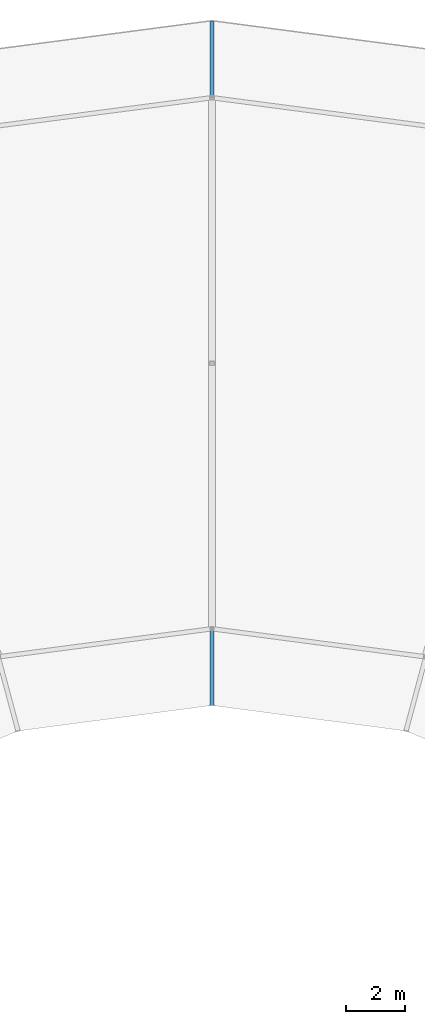
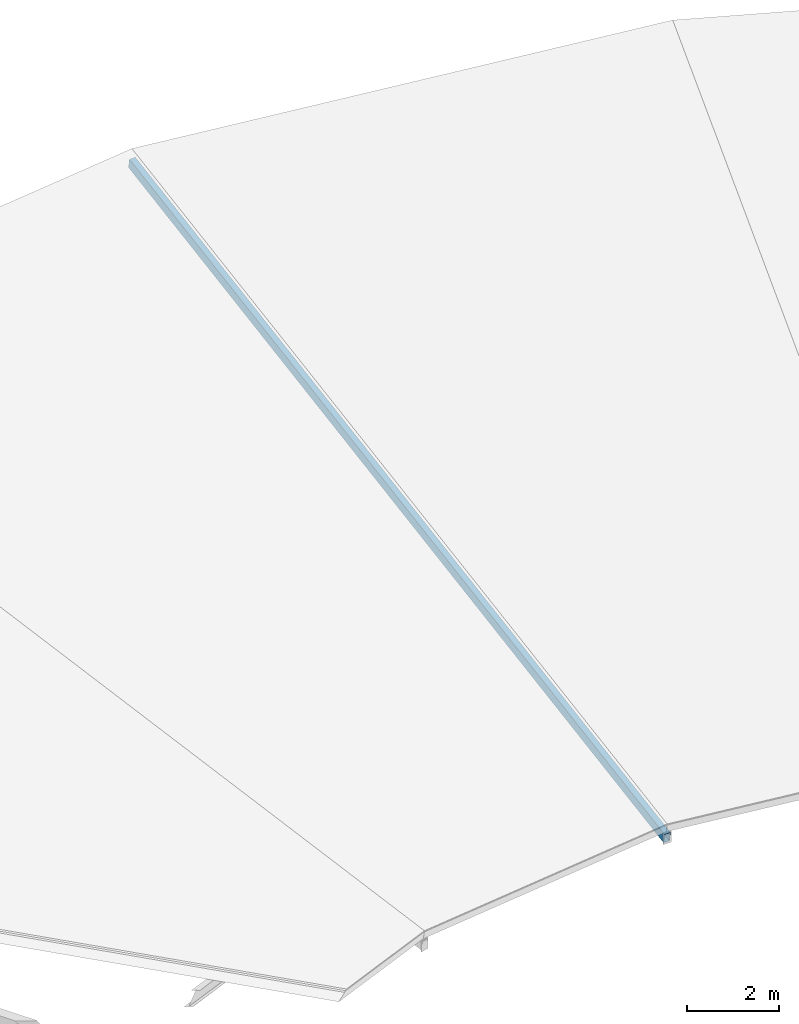
# One storey, part 21 of 70: 1 member.
"""IFC4 building model written with IfcOpenShell, lengths in metres."""

from ifc_helpers import new_model, si_unit, direction, frame, origin, origin_2d, place, context, subcontext, project, spatial, hollow_rectangle, extrude, material, material_profile, profile_set, type_object, element, save


model = new_model("IFC4")

# Units and contexts
model_context = context("Model", 3, precision=1e-05, world=origin(), true_north=direction((0.0, 1.0)))
body_context = subcontext(model_context, "Body", "Model", "MODEL_VIEW")
ifc_project = project(units=[si_unit("LENGTHUNIT", "METRE"), si_unit("AREAUNIT", "SQUARE_METRE"), si_unit("VOLUMEUNIT", "CUBIC_METRE"), si_unit("PLANEANGLEUNIT", "RADIAN"), si_unit("MASSUNIT", "GRAM", prefix="KILO")], contexts=[model_context])

# Site, building, storey
site_placement = place(None, origin())
site = spatial("IfcSite", under=ifc_project, at=site_placement, CompositionType="ELEMENT")
building_placement = place(site_placement, origin())
building = spatial("IfcBuilding", under=site, at=building_placement, Name="Vondelvale Polytechnic", CompositionType="ELEMENT")
storey_placement = place(building_placement, frame((0.0, 0.0, 22.199951171875)))
storey = spatial("IfcBuildingStorey", under=building, at=storey_placement, Name="L05", CompositionType="ELEMENT", Elevation=22.199951171875)

# Member
ifc_material = material(Name="Steel C350L0 (fy = 350 MPa)", Category="steel")
ifc_material_profile = material_profile(ifc_material, hollow_rectangle(XDim=0.14990234375, YDim=0.25, WallThickness=0.006103515625, at=origin_2d()), Name="250x150x6.0RHS")
ifc_profile_set = profile_set([ifc_material_profile], Name="Steel C350L0 (fy = 350 MPa)")
member_type = type_object("IfcMemberType", Name="RAFTER RHS250", PredefinedType="RAFTER", material=ifc_profile_set)
member_placement = place(storey_placement, frame((102.0, 120.60009765625, 3.765869140625), z_axis=(0.0, -0.986849806177, -0.161639908586), x_axis=(1.0, 0.0, 0.0)))
element("IfcMember", 1, at=member_placement, inside=storey, type_object=member_type, Name="Ring inward-sloping rafter 06", PredefinedType="RAFTER", context=body_context, shape_type="SweptSolid", body=[
    extrude(hollow_rectangle(XDim=0.14990234375, YDim=0.25, WallThickness=0.006103515625, at=origin_2d()), origin(), (0.0, 0.0, 1.0), 23.50927734375),
])

save(model, "model.ifc")
